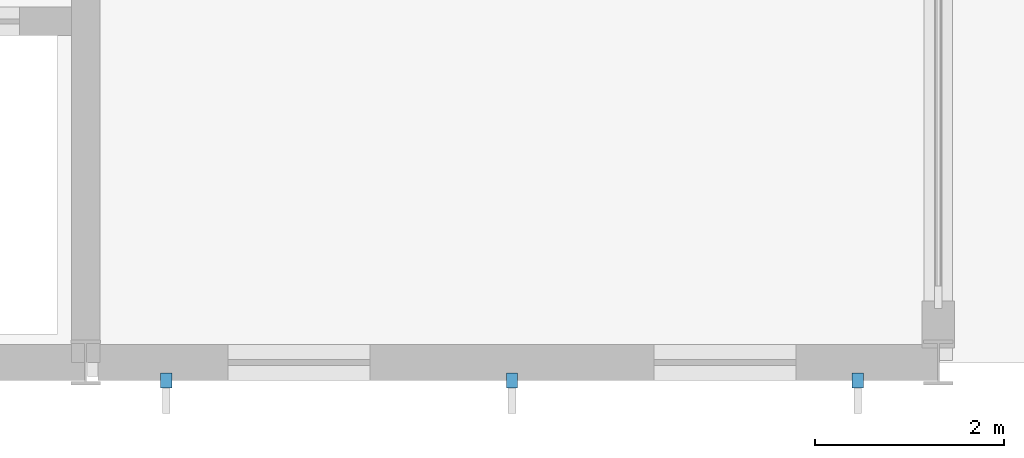
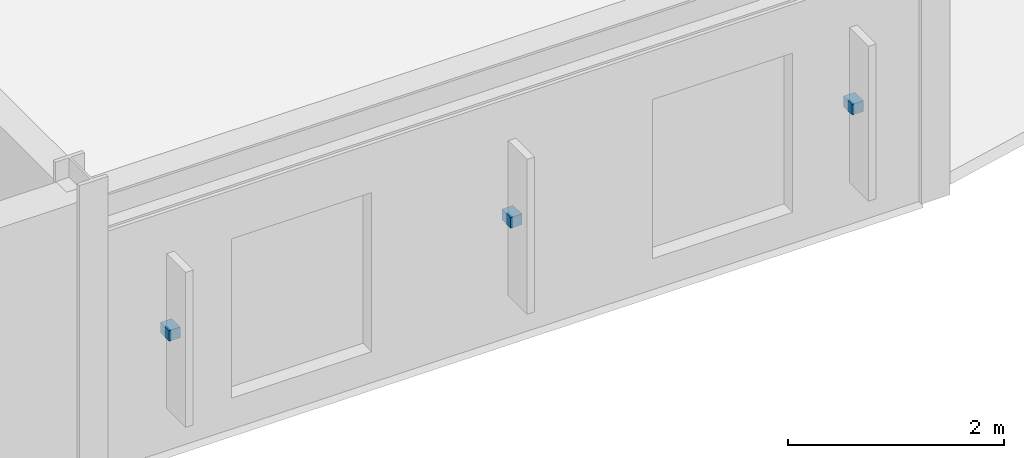
# One storey, part 84 of 91: 3 discrete accessories.
"""IFC4 building model written with IfcOpenShell, lengths in metres."""

from ifc_helpers import new_model, si_unit, direction, frame, origin, origin_2d, place, context, subcontext, project, spatial, rectangle, extrude, material, type_object, element, save


model = new_model("IFC4")

# Units and contexts
model_context = context("Model", 3, precision=1e-05, world=origin(), true_north=direction((0.0, 1.0)))
body_context = subcontext(model_context, "Body", "Model", "MODEL_VIEW")
ifc_project = project(units=[si_unit("LENGTHUNIT", "METRE"), si_unit("AREAUNIT", "SQUARE_METRE"), si_unit("VOLUMEUNIT", "CUBIC_METRE"), si_unit("PLANEANGLEUNIT", "RADIAN"), si_unit("MASSUNIT", "GRAM", prefix="KILO")], contexts=[model_context])

# Site, building, storey
site_placement = place(None, origin())
site = spatial("IfcSite", under=ifc_project, at=site_placement, CompositionType="ELEMENT")
building_placement = place(site_placement, origin())
building = spatial("IfcBuilding", under=site, at=building_placement, Name="Palais des Congres Ocreval", CompositionType="ELEMENT")
storey_placement = place(building_placement, frame((0.0, 0.0, 8.159912109375)))
storey = spatial("IfcBuildingStorey", under=building, at=storey_placement, Name="L02", CompositionType="ELEMENT", Elevation=8.159912109375)

# Discrete accessories
ifc_material = material(Name="Steel S355", Category="steel")
discrete_accessory_type = type_object("IfcDiscreteAccessoryType", Name="Stainless Brise-Soleil Fixing Bracket", PredefinedType="BRACKET", material=ifc_material)
for number, where, z_axis, x_axis, name in (
    (1, (71.14990234375, -0.18994140625, 1.2900390625), (0.0, 0.0, 1.0), (0.0, -1.0, 0.0), "Celosia Fixing Bracket BK01"),
    (2, (67.5, -0.18994140625, 1.2900390625), (0.0, 0.0, 1.0), (0.0, -1.0, 0.0), "Celosia Fixing Bracket BK01"),
    (3, (63.85009765625, -0.18994140625, 1.2900390625), (0.0, 0.0, 1.0), (0.0, -1.0, 0.0), "Celosia Fixing Bracket BK01"),
):
    element("IfcDiscreteAccessory", number, at=place(storey_placement, frame(where, z_axis=z_axis, x_axis=x_axis)), inside=storey, type_object=discrete_accessory_type, Name=name, PredefinedType="BRACKET", context=body_context, shape_type="SweptSolid", body=[
        extrude(rectangle(XDim=0.159912109375, YDim=0.1201171875, at=origin_2d()), origin(), (0.0, 0.0, 1.0), 0.1201171875),
    ])

save(model, "model.ifc")
